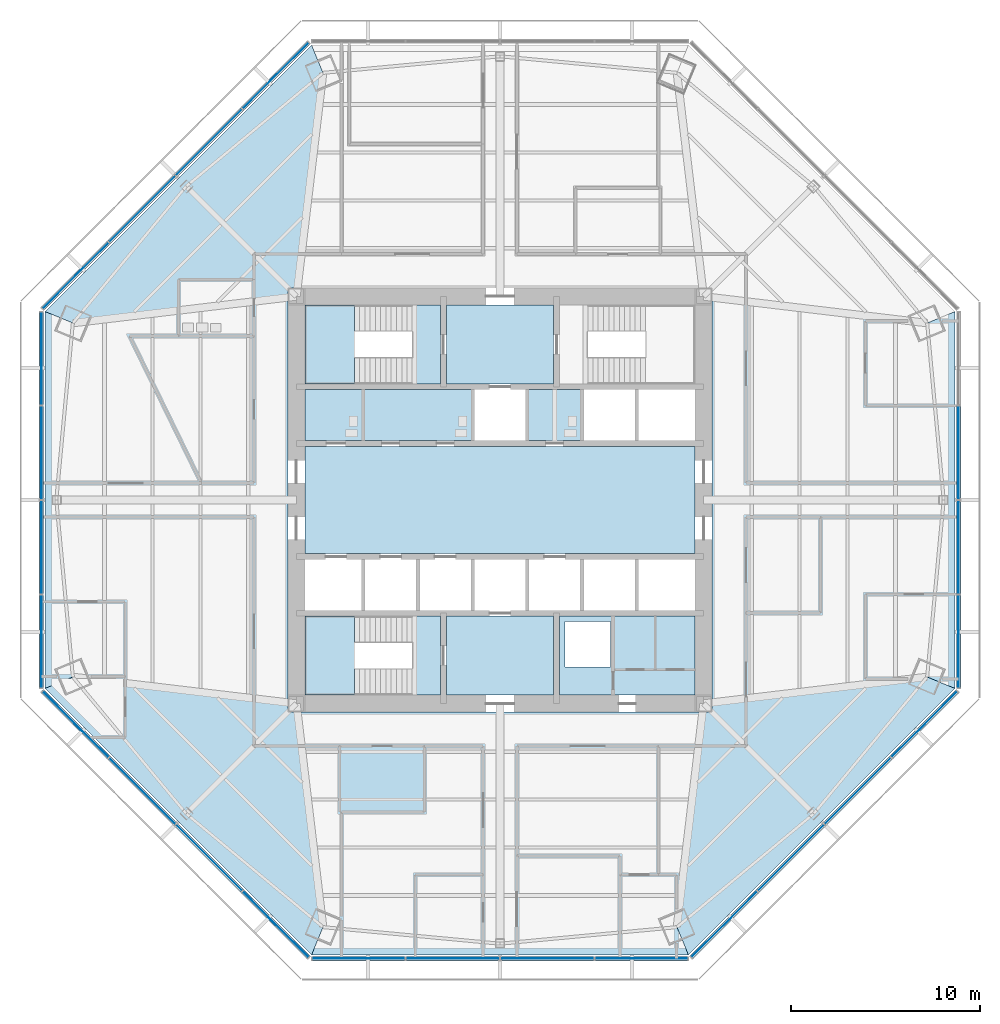
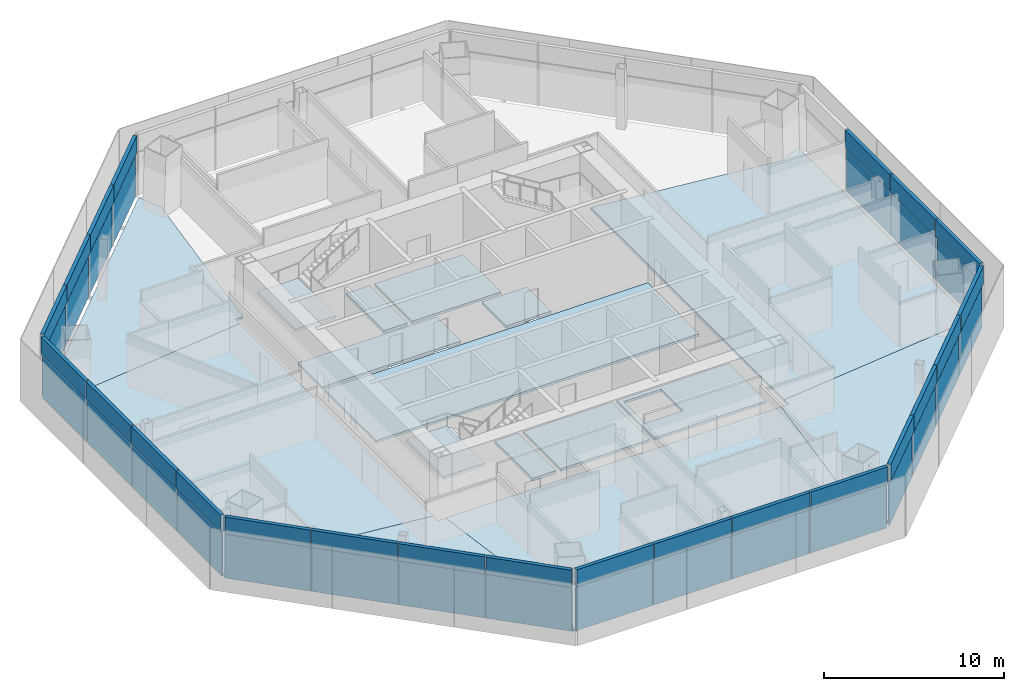
# One storey, part 7 of 14: 46 plates, 16 slabs, 8 elements without a shape of their own.
"""IFC4 building model written with IfcOpenShell, lengths in metres."""

from ifc_helpers import new_model, si_unit, direction, frame, origin, origin_2d, place, context, subcontext, project, spatial, polyline, rectangle, outline, extrude, source, transform, mapped, material, layer, layer_set, type_object, type_shapes, element, aggregate, save


model = new_model("IFC4")

# Units and contexts
model_context = context("Model", 3, precision=1e-05, world=origin(), true_north=direction((0.0, 1.0)))
body_context = subcontext(model_context, "Body", "Model", "MODEL_VIEW")
ifc_project = project(units=[si_unit("LENGTHUNIT", "METRE"), si_unit("AREAUNIT", "SQUARE_METRE"), si_unit("VOLUMEUNIT", "CUBIC_METRE"), si_unit("PLANEANGLEUNIT", "RADIAN"), si_unit("MASSUNIT", "GRAM", prefix="KILO")], contexts=[model_context])

# Site, building, storey
site_placement = place(None, origin())
site = spatial("IfcSite", under=ifc_project, at=site_placement, CompositionType="ELEMENT")
building_placement = place(site_placement, origin())
building = spatial("IfcBuilding", under=site, at=building_placement, Name="Mashrafa Tower", CompositionType="ELEMENT")
storey_placement = place(building_placement, frame((0.0, 0.0, 130.199951171875)))
storey = spatial("IfcBuildingStorey", under=building, at=storey_placement, Name="L29", CompositionType="ELEMENT", Elevation=130.199951171875)

# Slabs
ifc_material_1 = material(Name="Concrete C35/45", Category="concrete")
ifc_layer_1 = layer(ifc_material_1, 0.1650390625)
ifc_layer_set_1 = layer_set([ifc_layer_1], Name="Floor slab 165")
slab_type_1 = type_object("IfcSlabType", Name="Floor slab 165", PredefinedType="FLOOR", material=ifc_layer_set_1)
slab_1_placement = place(storey_placement, frame((0.0, 0.0, -0.1650390625)))
element("IfcSlab", 1, at=slab_1_placement, inside=storey, type_object=slab_type_1, Name="Floor slab L29 east bay", PredefinedType="FLOOR", context=body_context, shape_type="SweptSolid", body=[
    extrude(outline(polyline([(24.131591796875, 9.99560546875), (24.131591796875, -9.99560546875), (24.131591796875, -9.99560546875), (22.657958984375, -9.38525390625), (11.25, -10.746337890625), (11.25, 10.746337890625), (22.657958984375, 9.38525390625), (24.131591796875, 9.99560546875), (24.131591796875, 9.99560546875)])), origin(), (0.0, 0.0, 1.0), 0.1650390625),
])
slab_2_placement = place(storey_placement, frame((0.0, 0.0, -0.1650390625)))
element("IfcSlab", 2, at=slab_2_placement, inside=storey, type_object=slab_type_1, Name="Floor slab L29 north-west bay", PredefinedType="FLOOR", context=body_context, shape_type="SweptSolid", body=[
    extrude(outline(polyline([(-9.99560546875, 24.131591796875), (-9.38525390625, 22.657958984375), (-10.746337890625, 11.25), (-11.25, 11.25), (-11.25, 10.746337890625), (-22.657958984375, 9.38525390625), (-24.131591796875, 9.99560546875), (-9.99560546875, 24.131591796875)])), origin(), (0.0, 0.0, 1.0), 0.1650390625),
])
slab_3_placement = place(storey_placement, frame((0.0, 0.0, -0.1650390625)))
element("IfcSlab", 3, at=slab_3_placement, inside=storey, type_object=slab_type_1, Name="Floor slab L29 west bay", PredefinedType="FLOOR", context=body_context, shape_type="SweptSolid", body=[
    extrude(outline(polyline([(-24.131591796875, -9.99560546875), (-24.131591796875, 9.99560546875), (-24.131591796875, 9.99560546875), (-22.657958984375, 9.38525390625), (-11.25, 10.746337890625), (-11.25, -10.746337890625), (-22.657958984375, -9.38525390625), (-24.131591796875, -9.99560546875), (-24.131591796875, -9.99560546875)])), origin(), (0.0, 0.0, 1.0), 0.1650390625),
])
slab_4_placement = place(storey_placement, frame((0.0, 0.0, -0.1650390625)))
element("IfcSlab", 4, at=slab_4_placement, inside=storey, type_object=slab_type_1, Name="Floor slab L29 south-west bay", PredefinedType="FLOOR", context=body_context, shape_type="SweptSolid", body=[
    extrude(outline(polyline([(-24.131591796875, -9.99560546875), (-22.657958984375, -9.38525390625), (-11.25, -10.746337890625), (-11.25, -11.25), (-10.746337890625, -11.25), (-9.38525390625, -22.657958984375), (-9.99560546875, -24.131591796875), (-24.131591796875, -9.99560546875)])), origin(), (0.0, 0.0, 1.0), 0.1650390625),
])
slab_5_placement = place(storey_placement, frame((0.0, 0.0, -0.1650390625)))
element("IfcSlab", 5, at=slab_5_placement, inside=storey, type_object=slab_type_1, Name="Floor slab L29 south bay", PredefinedType="FLOOR", context=body_context, shape_type="SweptSolid", body=[
    extrude(outline(polyline([(-9.99560546875, -24.131591796875), (-9.99560546875, -24.131591796875), (-9.38525390625, -22.657958984375), (-10.746337890625, -11.25), (10.746337890625, -11.25), (9.38525390625, -22.657958984375), (9.99560546875, -24.131591796875), (9.99560546875, -24.131591796875), (-9.99560546875, -24.131591796875)])), origin(), (0.0, 0.0, 1.0), 0.1650390625),
])
slab_6_placement = place(storey_placement, frame((0.0, 0.0, -0.1650390625)))
element("IfcSlab", 6, at=slab_6_placement, inside=storey, type_object=slab_type_1, Name="Floor slab L29 south-east bay", PredefinedType="FLOOR", context=body_context, shape_type="SweptSolid", body=[
    extrude(outline(polyline([(9.99560546875, -24.131591796875), (9.38525390625, -22.657958984375), (10.746337890625, -11.25), (11.25, -11.25), (11.25, -10.746337890625), (22.657958984375, -9.38525390625), (24.131591796875, -9.99560546875), (9.99560546875, -24.131591796875)])), origin(), (0.0, 0.0, 1.0), 0.1650390625),
])
slab_7_placement = place(storey_placement, frame((0.0, 0.0, -0.1650390625)))
element("IfcSlab", 7, at=slab_7_placement, inside=storey, type_object=slab_type_1, Name="Core floor lift hall L29", PredefinedType="FLOOR", context=body_context, shape_type="SweptSolid", body=[
    extrude(outline(polyline([(-10.35009765625, 2.85009765625), (10.35009765625, 2.85009765625), (10.35009765625, -2.85009765625), (-10.35009765625, -2.85009765625), (-10.35009765625, 2.85009765625)])), origin(), (0.0, 0.0, 1.0), 0.1650390625),
])
slab_8_placement = place(storey_placement, frame((0.0, 0.0, -0.1650390625)))
element("IfcSlab", 8, at=slab_8_placement, inside=storey, type_object=slab_type_1, Name="Core floor riser and electrical band L29", PredefinedType="FLOOR", context=body_context, shape_type="SweptSolid", body=[
    extrude(outline(polyline([(10.35009765625, -6.14990234375), (10.35009765625, -10.35009765625), (3.14990234375, -10.35009765625), (3.14990234375, -6.14990234375), (10.35009765625, -6.14990234375)]), holes=[polyline([(3.449951171875, -8.85009765625), (5.85009765625, -8.85009765625), (5.85009765625, -6.449951171875), (3.449951171875, -6.449951171875), (3.449951171875, -8.85009765625)])]), origin(), (0.0, 0.0, 1.0), 0.1650390625),
])
slab_9_placement = place(storey_placement, frame((0.0, 0.0, -0.1650390625)))
element("IfcSlab", 9, at=slab_9_placement, inside=storey, type_object=slab_type_1, Name="Core floor lift cell L29", PredefinedType="FLOOR", context=body_context, shape_type="SweptSolid", body=[
    extrude(outline(polyline([(-1.449951171875, 3.14990234375), (-10.35009765625, 3.14990234375), (-10.35009765625, 5.85009765625), (-1.449951171875, 5.85009765625), (-1.449951171875, 3.14990234375)])), origin(), (0.0, 0.0, 1.0), 0.1650390625),
])
slab_10_placement = place(storey_placement, frame((0.0, 0.0, -0.1650390625)))
element("IfcSlab", 10, at=slab_10_placement, inside=storey, type_object=slab_type_1, Name="Core floor fire-fighting lobby north L29", PredefinedType="FLOOR", context=body_context, shape_type="SweptSolid", body=[
    extrude(outline(polyline([(-2.85009765625, 10.35009765625), (2.85009765625, 10.35009765625), (2.85009765625, 6.14990234375), (-2.85009765625, 6.14990234375), (-2.85009765625, 10.35009765625)])), origin(), (0.0, 0.0, 1.0), 0.1650390625),
])
slab_11_placement = place(storey_placement, frame((0.0, 0.0, -0.1650390625)))
element("IfcSlab", 11, at=slab_11_placement, inside=storey, type_object=slab_type_1, Name="Core floor fire-fighting lobby south L29", PredefinedType="FLOOR", context=body_context, shape_type="SweptSolid", body=[
    extrude(outline(polyline([(2.85009765625, -6.14990234375), (2.85009765625, -10.35009765625), (-2.85009765625, -10.35009765625), (-2.85009765625, -6.14990234375), (2.85009765625, -6.14990234375)])), origin(), (0.0, 0.0, 1.0), 0.1650390625),
])
slab_12_placement = place(storey_placement, frame((0.0, 0.0, -0.1650390625)))
element("IfcSlab", 12, at=slab_12_placement, inside=storey, type_object=slab_type_1, Name="Core floor lift cell L29", PredefinedType="FLOOR", context=body_context, shape_type="SweptSolid", body=[
    extrude(outline(polyline([(4.35009765625, 5.85009765625), (4.35009765625, 3.14990234375), (1.449951171875, 3.14990234375), (1.449951171875, 5.85009765625), (4.35009765625, 5.85009765625)])), origin(), (0.0, 0.0, 1.0), 0.1650390625),
])

# Stair, slabs
ifc_material_2 = material(Name="Exit stair 1400")
stair_type = type_object("IfcStairType", Name="Exit stair 1400", PredefinedType="HALF_TURN_STAIR", material=ifc_material_2)
stair_1_placement = place(storey_placement, origin())
stair_1 = element("IfcStair", 13, at=stair_1_placement, inside=storey, type_object=stair_type, Name="Stair S1 L29", PredefinedType="HALF_TURN_STAIR")
ifc_material_3 = material(Name="Concrete C32/40", Category="concrete")
ifc_layer_2 = layer(ifc_material_3, 0.199951171875)
ifc_layer_set_2 = layer_set([ifc_layer_2], Name="Stair landing 200")
slab_type_2 = type_object("IfcSlabType", Name="Stair landing 200", PredefinedType="LANDING", material=ifc_layer_set_2)
slab_13_placement = place(storey_placement, frame((0.0, 0.0, -0.199951171875)))
slab_13 = element("IfcSlab", 14, at=slab_13_placement, type_object=slab_type_2, Name="S1 landing 1", PredefinedType="LANDING", context=body_context, shape_type="SweptSolid", body=[
    extrude(outline(polyline([(-4.659912109375, 6.14990234375), (-3.14990234375, 6.14990234375), (-3.14990234375, 10.35009765625), (-4.659912109375, 10.35009765625), (-4.659912109375, 6.14990234375)])), origin(), (0.0, 0.0, 1.0), 0.199951171875),
])
slab_14_placement = place(storey_placement, frame((0.0, 0.0, 1.900146484375)))
slab_14 = element("IfcSlab", 15, at=slab_14_placement, type_object=slab_type_2, Name="S1 landing 2", PredefinedType="LANDING", context=body_context, shape_type="SweptSolid", body=[
    extrude(outline(polyline([(-10.35009765625, 6.14990234375), (-7.719970703125, 6.14990234375), (-7.719970703125, 10.35009765625), (-10.35009765625, 10.35009765625), (-10.35009765625, 6.14990234375)])), origin(), (0.0, 0.0, 1.0), 0.199951171875),
])
aggregate(stair_1, [slab_13, slab_14])

stair_2_placement = place(storey_placement, origin())
stair_2 = element("IfcStair", 16, at=stair_2_placement, inside=storey, type_object=stair_type, Name="Stair S3 L29", PredefinedType="HALF_TURN_STAIR")
slab_15_placement = place(storey_placement, frame((0.0, 0.0, -0.199951171875)))
slab_15 = element("IfcSlab", 17, at=slab_15_placement, type_object=slab_type_2, Name="S3 landing 1", PredefinedType="LANDING", context=body_context, shape_type="SweptSolid", body=[
    extrude(outline(polyline([(-4.659912109375, -10.35009765625), (-3.14990234375, -10.35009765625), (-3.14990234375, -6.14990234375), (-4.659912109375, -6.14990234375), (-4.659912109375, -10.35009765625)])), origin(), (0.0, 0.0, 1.0), 0.199951171875),
])
slab_16_placement = place(storey_placement, frame((0.0, 0.0, 1.900146484375)))
slab_16 = element("IfcSlab", 18, at=slab_16_placement, type_object=slab_type_2, Name="S3 landing 2", PredefinedType="LANDING", context=body_context, shape_type="SweptSolid", body=[
    extrude(outline(polyline([(-10.35009765625, -10.35009765625), (-7.719970703125, -10.35009765625), (-7.719970703125, -6.14990234375), (-10.35009765625, -6.14990234375), (-10.35009765625, -10.35009765625)])), origin(), (0.0, 0.0, 1.0), 0.199951171875),
])
aggregate(stair_2, [slab_15, slab_16])

# Curtain wall, plate
ifc_material_4 = material(Name="Unitised aluminium curtain wall", Category="aluminium")
curtain_wall_type = type_object("IfcCurtainWallType", Name="Office curtain wall, zone 2 CW-B 225 deep", PredefinedType="NOTDEFINED", material=ifc_material_4)
curtain_wall_1_placement = place(storey_placement, origin())
curtain_wall_1 = element("IfcCurtainWall", 19, at=curtain_wall_1_placement, inside=storey, type_object=curtain_wall_type, Name="Office curtain wall, zone 2 L29 east", PredefinedType="NOTDEFINED")
ifc_material_5 = material(Name="Insulated double glazing, low-e, neutral", Category="glass")
ifc_layer_3 = layer(ifc_material_5, 0.028076171875)
ifc_layer_set_3 = layer_set([ifc_layer_3], Name="Vision panel CW-B 28")
plate_type_1 = type_object("IfcPlateType", Name="Vision panel CW-B 28", PredefinedType="CURTAIN_PANEL", material=ifc_layer_set_3)
shared_shape_1 = source(origin(), body_context, "Body", "SweptSolid", [
    extrude(rectangle(XDim=4.913330078125, YDim=0.028076171875, at=origin_2d()), origin(), (0.0, 0.0, 1.0), 2.9599609375),
])
plate_1_placement = place(storey_placement, frame((24.33154296875, -7.500244140625, 0.0), z_axis=(0.0, 0.0, 1.0), x_axis=(0.0, 1.0, 0.0)))
plate_1 = element("IfcPlate", 20, at=plate_1_placement, type_object=plate_type_1, Name="CW-B vision panel 1", PredefinedType="CURTAIN_PANEL", context=body_context, shape_type="MappedRepresentation", body=[
    mapped(shared_shape_1, transform((0.0, 0.0, 0.0))),
])

# Curtain wall, plates
curtain_wall_2_placement = place(storey_placement, origin())
curtain_wall_2 = element("IfcCurtainWall", 21, at=curtain_wall_2_placement, inside=storey, type_object=curtain_wall_type, Name="Office curtain wall, zone 2 L29 north-west", PredefinedType="NOTDEFINED")
plate_2_placement = place(storey_placement, frame((-11.901611328125, 22.50830078125, 0.0), z_axis=(0.0, 0.0, 1.0), x_axis=(-0.707106781187, -0.707106781187, 0.0)))
plate_2 = element("IfcPlate", 22, at=plate_2_placement, type_object=plate_type_1, Name="CW-B vision panel 1", PredefinedType="CURTAIN_PANEL", context=body_context, shape_type="MappedRepresentation", body=[
    mapped(shared_shape_1, transform((0.0, 0.0, 0.0))),
])
plate_3_placement = place(storey_placement, frame((-22.50830078125, 11.901611328125, 0.0), z_axis=(0.0, 0.0, 1.0), x_axis=(-0.707106781187, -0.707106781187, 0.0)))
plate_3 = element("IfcPlate", 23, at=plate_3_placement, type_object=plate_type_1, Name="CW-B vision panel 4", PredefinedType="CURTAIN_PANEL", context=body_context, shape_type="MappedRepresentation", body=[
    mapped(shared_shape_1, transform((0.0, 0.0, 0.0))),
])

curtain_wall_3_placement = place(storey_placement, origin())
curtain_wall_3 = element("IfcCurtainWall", 24, at=curtain_wall_3_placement, inside=storey, type_object=curtain_wall_type, Name="Office curtain wall, zone 2 L29 west", PredefinedType="NOTDEFINED")
plate_4_placement = place(storey_placement, frame((-24.33154296875, 7.500244140625, 0.0), z_axis=(0.0, 0.0, 1.0), x_axis=(0.0, -1.0, 0.0)))
plate_4 = element("IfcPlate", 25, at=plate_4_placement, type_object=plate_type_1, Name="CW-B vision panel 1", PredefinedType="CURTAIN_PANEL", context=body_context, shape_type="MappedRepresentation", body=[
    mapped(shared_shape_1, transform((0.0, 0.0, 0.0))),
])
plate_5_placement = place(storey_placement, frame((-24.33154296875, -7.500244140625, 0.0), z_axis=(0.0, 0.0, 1.0), x_axis=(0.0, -1.0, 0.0)))
plate_5 = element("IfcPlate", 26, at=plate_5_placement, type_object=plate_type_1, Name="CW-B vision panel 4", PredefinedType="CURTAIN_PANEL", context=body_context, shape_type="MappedRepresentation", body=[
    mapped(shared_shape_1, transform((0.0, 0.0, 0.0))),
])

curtain_wall_4_placement = place(storey_placement, origin())
curtain_wall_4 = element("IfcCurtainWall", 27, at=curtain_wall_4_placement, inside=storey, type_object=curtain_wall_type, Name="Office curtain wall, zone 2 L29 south-west", PredefinedType="NOTDEFINED")
plate_6_placement = place(storey_placement, frame((-22.50830078125, -11.901611328125, 0.0), z_axis=(0.0, 0.0, 1.0), x_axis=(0.707106781187, -0.707106781187, 0.0)))
plate_6 = element("IfcPlate", 28, at=plate_6_placement, type_object=plate_type_1, Name="CW-B vision panel 1", PredefinedType="CURTAIN_PANEL", context=body_context, shape_type="MappedRepresentation", body=[
    mapped(shared_shape_1, transform((0.0, 0.0, 0.0))),
])
plate_7_placement = place(storey_placement, frame((-11.901611328125, -22.50830078125, 0.0), z_axis=(0.0, 0.0, 1.0), x_axis=(0.707106781187, -0.707106781187, 0.0)))
plate_7 = element("IfcPlate", 29, at=plate_7_placement, type_object=plate_type_1, Name="CW-B vision panel 4", PredefinedType="CURTAIN_PANEL", context=body_context, shape_type="MappedRepresentation", body=[
    mapped(shared_shape_1, transform((0.0, 0.0, 0.0))),
])

curtain_wall_5_placement = place(storey_placement, origin())
curtain_wall_5 = element("IfcCurtainWall", 30, at=curtain_wall_5_placement, inside=storey, type_object=curtain_wall_type, Name="Office curtain wall, zone 2 L29 south", PredefinedType="NOTDEFINED")
plate_8_placement = place(storey_placement, frame((-7.500244140625, -24.33154296875, 0.0), z_axis=(0.0, 0.0, 1.0), x_axis=(1.0, 0.0, 0.0)))
plate_8 = element("IfcPlate", 31, at=plate_8_placement, type_object=plate_type_1, Name="CW-B vision panel 1", PredefinedType="CURTAIN_PANEL", context=body_context, shape_type="MappedRepresentation", body=[
    mapped(shared_shape_1, transform((0.0, 0.0, 0.0))),
])
plate_9_placement = place(storey_placement, frame((7.500244140625, -24.33154296875, 0.0), z_axis=(0.0, 0.0, 1.0), x_axis=(1.0, 0.0, 0.0)))
plate_9 = element("IfcPlate", 32, at=plate_9_placement, type_object=plate_type_1, Name="CW-B vision panel 4", PredefinedType="CURTAIN_PANEL", context=body_context, shape_type="MappedRepresentation", body=[
    mapped(shared_shape_1, transform((0.0, 0.0, 0.0))),
])

curtain_wall_6_placement = place(storey_placement, origin())
curtain_wall_6 = element("IfcCurtainWall", 33, at=curtain_wall_6_placement, inside=storey, type_object=curtain_wall_type, Name="Office curtain wall, zone 2 L29 south-east", PredefinedType="NOTDEFINED")
plate_10_placement = place(storey_placement, frame((11.901611328125, -22.50830078125, 0.0), z_axis=(0.0, 0.0, 1.0), x_axis=(0.707106781187, 0.707106781187, 0.0)))
plate_10 = element("IfcPlate", 34, at=plate_10_placement, type_object=plate_type_1, Name="CW-B vision panel 1", PredefinedType="CURTAIN_PANEL", context=body_context, shape_type="MappedRepresentation", body=[
    mapped(shared_shape_1, transform((0.0, 0.0, 0.0))),
])
plate_11_placement = place(storey_placement, frame((22.50830078125, -11.901611328125, 0.0), z_axis=(0.0, 0.0, 1.0), x_axis=(0.707106781187, 0.707106781187, 0.0)))
plate_11 = element("IfcPlate", 35, at=plate_11_placement, type_object=plate_type_1, Name="CW-B vision panel 4", PredefinedType="CURTAIN_PANEL", context=body_context, shape_type="MappedRepresentation", body=[
    mapped(shared_shape_1, transform((0.0, 0.0, 0.0))),
])

# Plate
ifc_material_6 = material(Name="Insulated aluminium spandrel panel", Category="aluminium")
ifc_layer_4 = layer(ifc_material_6, 0.219970703125)
ifc_layer_set_4 = layer_set([ifc_layer_4], Name="Spandrel panel CW-B 220")
plate_type_2 = type_object("IfcPlateType", Name="Spandrel panel CW-B 220", PredefinedType="CURTAIN_PANEL", material=ifc_layer_set_4)
shared_shape_2 = source(origin(), body_context, "Body", "SweptSolid", [
    extrude(rectangle(XDim=4.913330078125, YDim=0.219970703125, at=origin_2d()), origin(), (0.0, 0.0, 1.0), 1.159912109375),
])
plate_12_placement = place(storey_placement, frame((24.33154296875, -7.500244140625, 3.0400390625), z_axis=(0.0, 0.0, 1.0), x_axis=(0.0, 1.0, 0.0)))
plate_12 = element("IfcPlate", 36, at=plate_12_placement, type_object=plate_type_2, Name="CW-B spandrel panel 1", PredefinedType="CURTAIN_PANEL", context=body_context, shape_type="MappedRepresentation", body=[
    mapped(shared_shape_2, transform((0.0, 0.0, 0.0))),
])

plate_13_placement = place(storey_placement, frame((-11.901611328125, 22.50830078125, 3.0400390625), z_axis=(0.0, 0.0, 1.0), x_axis=(-0.707106781187, -0.707106781187, 0.0)))
plate_13 = element("IfcPlate", 37, at=plate_13_placement, type_object=plate_type_2, Name="CW-B spandrel panel 1", PredefinedType="CURTAIN_PANEL", context=body_context, shape_type="MappedRepresentation", body=[
    mapped(shared_shape_2, transform((0.0, 0.0, 0.0))),
])

plate_14_placement = place(storey_placement, frame((-22.50830078125, 11.901611328125, 3.0400390625), z_axis=(0.0, 0.0, 1.0), x_axis=(-0.707106781187, -0.707106781187, 0.0)))
plate_14 = element("IfcPlate", 38, at=plate_14_placement, type_object=plate_type_2, Name="CW-B spandrel panel 4", PredefinedType="CURTAIN_PANEL", context=body_context, shape_type="MappedRepresentation", body=[
    mapped(shared_shape_2, transform((0.0, 0.0, 0.0))),
])

plate_15_placement = place(storey_placement, frame((-24.33154296875, 7.500244140625, 3.0400390625), z_axis=(0.0, 0.0, 1.0), x_axis=(0.0, -1.0, 0.0)))
plate_15 = element("IfcPlate", 39, at=plate_15_placement, type_object=plate_type_2, Name="CW-B spandrel panel 1", PredefinedType="CURTAIN_PANEL", context=body_context, shape_type="MappedRepresentation", body=[
    mapped(shared_shape_2, transform((0.0, 0.0, 0.0))),
])

plate_16_placement = place(storey_placement, frame((-24.33154296875, -7.500244140625, 3.0400390625), z_axis=(0.0, 0.0, 1.0), x_axis=(0.0, -1.0, 0.0)))
plate_16 = element("IfcPlate", 40, at=plate_16_placement, type_object=plate_type_2, Name="CW-B spandrel panel 4", PredefinedType="CURTAIN_PANEL", context=body_context, shape_type="MappedRepresentation", body=[
    mapped(shared_shape_2, transform((0.0, 0.0, 0.0))),
])

plate_17_placement = place(storey_placement, frame((-22.50830078125, -11.901611328125, 3.0400390625), z_axis=(0.0, 0.0, 1.0), x_axis=(0.707106781187, -0.707106781187, 0.0)))
plate_17 = element("IfcPlate", 41, at=plate_17_placement, type_object=plate_type_2, Name="CW-B spandrel panel 1", PredefinedType="CURTAIN_PANEL", context=body_context, shape_type="MappedRepresentation", body=[
    mapped(shared_shape_2, transform((0.0, 0.0, 0.0))),
])

plate_18_placement = place(storey_placement, frame((-11.901611328125, -22.50830078125, 3.0400390625), z_axis=(0.0, 0.0, 1.0), x_axis=(0.707106781187, -0.707106781187, 0.0)))
plate_18 = element("IfcPlate", 42, at=plate_18_placement, type_object=plate_type_2, Name="CW-B spandrel panel 4", PredefinedType="CURTAIN_PANEL", context=body_context, shape_type="MappedRepresentation", body=[
    mapped(shared_shape_2, transform((0.0, 0.0, 0.0))),
])

plate_19_placement = place(storey_placement, frame((-7.500244140625, -24.33154296875, 3.0400390625), z_axis=(0.0, 0.0, 1.0), x_axis=(1.0, 0.0, 0.0)))
plate_19 = element("IfcPlate", 43, at=plate_19_placement, type_object=plate_type_2, Name="CW-B spandrel panel 1", PredefinedType="CURTAIN_PANEL", context=body_context, shape_type="MappedRepresentation", body=[
    mapped(shared_shape_2, transform((0.0, 0.0, 0.0))),
])

plate_20_placement = place(storey_placement, frame((7.500244140625, -24.33154296875, 3.0400390625), z_axis=(0.0, 0.0, 1.0), x_axis=(1.0, 0.0, 0.0)))
plate_20 = element("IfcPlate", 44, at=plate_20_placement, type_object=plate_type_2, Name="CW-B spandrel panel 4", PredefinedType="CURTAIN_PANEL", context=body_context, shape_type="MappedRepresentation", body=[
    mapped(shared_shape_2, transform((0.0, 0.0, 0.0))),
])

plate_21_placement = place(storey_placement, frame((11.901611328125, -22.50830078125, 3.0400390625), z_axis=(0.0, 0.0, 1.0), x_axis=(0.707106781187, 0.707106781187, 0.0)))
plate_21 = element("IfcPlate", 45, at=plate_21_placement, type_object=plate_type_2, Name="CW-B spandrel panel 1", PredefinedType="CURTAIN_PANEL", context=body_context, shape_type="MappedRepresentation", body=[
    mapped(shared_shape_2, transform((0.0, 0.0, 0.0))),
])

plate_22_placement = place(storey_placement, frame((22.50830078125, -11.901611328125, 3.0400390625), z_axis=(0.0, 0.0, 1.0), x_axis=(0.707106781187, 0.707106781187, 0.0)))
plate_22 = element("IfcPlate", 46, at=plate_22_placement, type_object=plate_type_2, Name="CW-B spandrel panel 4", PredefinedType="CURTAIN_PANEL", context=body_context, shape_type="MappedRepresentation", body=[
    mapped(shared_shape_2, transform((0.0, 0.0, 0.0))),
])

shared_shape_3 = source(origin(), body_context, "Body", "SweptSolid", [
    extrude(rectangle(XDim=4.946044921875, YDim=0.028076171875, at=origin_2d()), origin(), (0.0, 0.0, 1.0), 2.9599609375),
])
type_shapes(plate_type_1, [shared_shape_1, shared_shape_3])
plate_23_placement = place(storey_placement, frame((24.33154296875, -2.50537109375, 0.0), z_axis=(0.0, 0.0, 1.0), x_axis=(0.0, 1.0, 0.0)))
plate_23 = element("IfcPlate", 47, at=plate_23_placement, type_object=plate_type_1, Name="CW-B vision panel 2", PredefinedType="CURTAIN_PANEL", context=body_context, shape_type="MappedRepresentation", body=[
    mapped(shared_shape_3, transform((0.0, 0.0, 0.0))),
])

plate_24_placement = place(storey_placement, frame((24.33154296875, 2.50537109375, 0.0), z_axis=(0.0, 0.0, 1.0), x_axis=(0.0, 1.0, 0.0)))
plate_24 = element("IfcPlate", 48, at=plate_24_placement, type_object=plate_type_1, Name="CW-B vision panel 3", PredefinedType="CURTAIN_PANEL", context=body_context, shape_type="MappedRepresentation", body=[
    mapped(shared_shape_3, transform((0.0, 0.0, 0.0))),
])

plate_25_placement = place(storey_placement, frame((-15.433349609375, 18.9765625, 0.0), z_axis=(0.0, 0.0, 1.0), x_axis=(-0.707106781187, -0.707106781187, 0.0)))
plate_25 = element("IfcPlate", 49, at=plate_25_placement, type_object=plate_type_1, Name="CW-B vision panel 2", PredefinedType="CURTAIN_PANEL", context=body_context, shape_type="MappedRepresentation", body=[
    mapped(shared_shape_3, transform((0.0, 0.0, 0.0))),
])

plate_26_placement = place(storey_placement, frame((-18.9765625, 15.433349609375, 0.0), z_axis=(0.0, 0.0, 1.0), x_axis=(-0.707106781187, -0.707106781187, 0.0)))
plate_26 = element("IfcPlate", 50, at=plate_26_placement, type_object=plate_type_1, Name="CW-B vision panel 3", PredefinedType="CURTAIN_PANEL", context=body_context, shape_type="MappedRepresentation", body=[
    mapped(shared_shape_3, transform((0.0, 0.0, 0.0))),
])

plate_27_placement = place(storey_placement, frame((-24.33154296875, 2.50537109375, 0.0), z_axis=(0.0, 0.0, 1.0), x_axis=(0.0, -1.0, 0.0)))
plate_27 = element("IfcPlate", 51, at=plate_27_placement, type_object=plate_type_1, Name="CW-B vision panel 2", PredefinedType="CURTAIN_PANEL", context=body_context, shape_type="MappedRepresentation", body=[
    mapped(shared_shape_3, transform((0.0, 0.0, 0.0))),
])

plate_28_placement = place(storey_placement, frame((-24.33154296875, -2.50537109375, 0.0), z_axis=(0.0, 0.0, 1.0), x_axis=(0.0, -1.0, 0.0)))
plate_28 = element("IfcPlate", 52, at=plate_28_placement, type_object=plate_type_1, Name="CW-B vision panel 3", PredefinedType="CURTAIN_PANEL", context=body_context, shape_type="MappedRepresentation", body=[
    mapped(shared_shape_3, transform((0.0, 0.0, 0.0))),
])

plate_29_placement = place(storey_placement, frame((-18.9765625, -15.433349609375, 0.0), z_axis=(0.0, 0.0, 1.0), x_axis=(0.707106781187, -0.707106781187, 0.0)))
plate_29 = element("IfcPlate", 53, at=plate_29_placement, type_object=plate_type_1, Name="CW-B vision panel 2", PredefinedType="CURTAIN_PANEL", context=body_context, shape_type="MappedRepresentation", body=[
    mapped(shared_shape_3, transform((0.0, 0.0, 0.0))),
])

plate_30_placement = place(storey_placement, frame((-15.433349609375, -18.9765625, 0.0), z_axis=(0.0, 0.0, 1.0), x_axis=(0.707106781187, -0.707106781187, 0.0)))
plate_30 = element("IfcPlate", 54, at=plate_30_placement, type_object=plate_type_1, Name="CW-B vision panel 3", PredefinedType="CURTAIN_PANEL", context=body_context, shape_type="MappedRepresentation", body=[
    mapped(shared_shape_3, transform((0.0, 0.0, 0.0))),
])

plate_31_placement = place(storey_placement, frame((-2.50537109375, -24.33154296875, 0.0), z_axis=(0.0, 0.0, 1.0), x_axis=(1.0, 0.0, 0.0)))
plate_31 = element("IfcPlate", 55, at=plate_31_placement, type_object=plate_type_1, Name="CW-B vision panel 2", PredefinedType="CURTAIN_PANEL", context=body_context, shape_type="MappedRepresentation", body=[
    mapped(shared_shape_3, transform((0.0, 0.0, 0.0))),
])

plate_32_placement = place(storey_placement, frame((2.50537109375, -24.33154296875, 0.0), z_axis=(0.0, 0.0, 1.0), x_axis=(1.0, 0.0, 0.0)))
plate_32 = element("IfcPlate", 56, at=plate_32_placement, type_object=plate_type_1, Name="CW-B vision panel 3", PredefinedType="CURTAIN_PANEL", context=body_context, shape_type="MappedRepresentation", body=[
    mapped(shared_shape_3, transform((0.0, 0.0, 0.0))),
])

plate_33_placement = place(storey_placement, frame((15.433349609375, -18.9765625, 0.0), z_axis=(0.0, 0.0, 1.0), x_axis=(0.707106781187, 0.707106781187, 0.0)))
plate_33 = element("IfcPlate", 57, at=plate_33_placement, type_object=plate_type_1, Name="CW-B vision panel 2", PredefinedType="CURTAIN_PANEL", context=body_context, shape_type="MappedRepresentation", body=[
    mapped(shared_shape_3, transform((0.0, 0.0, 0.0))),
])

plate_34_placement = place(storey_placement, frame((18.9765625, -15.433349609375, 0.0), z_axis=(0.0, 0.0, 1.0), x_axis=(0.707106781187, 0.707106781187, 0.0)))
plate_34 = element("IfcPlate", 58, at=plate_34_placement, type_object=plate_type_1, Name="CW-B vision panel 3", PredefinedType="CURTAIN_PANEL", context=body_context, shape_type="MappedRepresentation", body=[
    mapped(shared_shape_3, transform((0.0, 0.0, 0.0))),
])

shared_shape_4 = source(origin(), body_context, "Body", "SweptSolid", [
    extrude(rectangle(XDim=4.946044921875, YDim=0.219970703125, at=origin_2d()), origin(), (0.0, 0.0, 1.0), 1.159912109375),
])
type_shapes(plate_type_2, [shared_shape_2, shared_shape_4])
plate_35_placement = place(storey_placement, frame((24.33154296875, -2.50537109375, 3.0400390625), z_axis=(0.0, 0.0, 1.0), x_axis=(0.0, 1.0, 0.0)))
plate_35 = element("IfcPlate", 59, at=plate_35_placement, type_object=plate_type_2, Name="CW-B spandrel panel 2", PredefinedType="CURTAIN_PANEL", context=body_context, shape_type="MappedRepresentation", body=[
    mapped(shared_shape_4, transform((0.0, 0.0, 0.0))),
])

plate_36_placement = place(storey_placement, frame((24.33154296875, 2.50537109375, 3.0400390625), z_axis=(0.0, 0.0, 1.0), x_axis=(0.0, 1.0, 0.0)))
plate_36 = element("IfcPlate", 60, at=plate_36_placement, type_object=plate_type_2, Name="CW-B spandrel panel 3", PredefinedType="CURTAIN_PANEL", context=body_context, shape_type="MappedRepresentation", body=[
    mapped(shared_shape_4, transform((0.0, 0.0, 0.0))),
])

aggregate(curtain_wall_1, [plate_1, plate_12, plate_23, plate_35, plate_24, plate_36])

plate_37_placement = place(storey_placement, frame((-15.433349609375, 18.9765625, 3.0400390625), z_axis=(0.0, 0.0, 1.0), x_axis=(-0.707106781187, -0.707106781187, 0.0)))
plate_37 = element("IfcPlate", 61, at=plate_37_placement, type_object=plate_type_2, Name="CW-B spandrel panel 2", PredefinedType="CURTAIN_PANEL", context=body_context, shape_type="MappedRepresentation", body=[
    mapped(shared_shape_4, transform((0.0, 0.0, 0.0))),
])

plate_38_placement = place(storey_placement, frame((-18.9765625, 15.433349609375, 3.0400390625), z_axis=(0.0, 0.0, 1.0), x_axis=(-0.707106781187, -0.707106781187, 0.0)))
plate_38 = element("IfcPlate", 62, at=plate_38_placement, type_object=plate_type_2, Name="CW-B spandrel panel 3", PredefinedType="CURTAIN_PANEL", context=body_context, shape_type="MappedRepresentation", body=[
    mapped(shared_shape_4, transform((0.0, 0.0, 0.0))),
])

aggregate(curtain_wall_2, [plate_2, plate_13, plate_25, plate_37, plate_26, plate_38, plate_3, plate_14])

plate_39_placement = place(storey_placement, frame((-24.33154296875, 2.50537109375, 3.0400390625), z_axis=(0.0, 0.0, 1.0), x_axis=(0.0, -1.0, 0.0)))
plate_39 = element("IfcPlate", 63, at=plate_39_placement, type_object=plate_type_2, Name="CW-B spandrel panel 2", PredefinedType="CURTAIN_PANEL", context=body_context, shape_type="MappedRepresentation", body=[
    mapped(shared_shape_4, transform((0.0, 0.0, 0.0))),
])

plate_40_placement = place(storey_placement, frame((-24.33154296875, -2.50537109375, 3.0400390625), z_axis=(0.0, 0.0, 1.0), x_axis=(0.0, -1.0, 0.0)))
plate_40 = element("IfcPlate", 64, at=plate_40_placement, type_object=plate_type_2, Name="CW-B spandrel panel 3", PredefinedType="CURTAIN_PANEL", context=body_context, shape_type="MappedRepresentation", body=[
    mapped(shared_shape_4, transform((0.0, 0.0, 0.0))),
])

aggregate(curtain_wall_3, [plate_4, plate_15, plate_27, plate_39, plate_28, plate_40, plate_5, plate_16])

plate_41_placement = place(storey_placement, frame((-18.9765625, -15.433349609375, 3.0400390625), z_axis=(0.0, 0.0, 1.0), x_axis=(0.707106781187, -0.707106781187, 0.0)))
plate_41 = element("IfcPlate", 65, at=plate_41_placement, type_object=plate_type_2, Name="CW-B spandrel panel 2", PredefinedType="CURTAIN_PANEL", context=body_context, shape_type="MappedRepresentation", body=[
    mapped(shared_shape_4, transform((0.0, 0.0, 0.0))),
])

plate_42_placement = place(storey_placement, frame((-15.433349609375, -18.9765625, 3.0400390625), z_axis=(0.0, 0.0, 1.0), x_axis=(0.707106781187, -0.707106781187, 0.0)))
plate_42 = element("IfcPlate", 66, at=plate_42_placement, type_object=plate_type_2, Name="CW-B spandrel panel 3", PredefinedType="CURTAIN_PANEL", context=body_context, shape_type="MappedRepresentation", body=[
    mapped(shared_shape_4, transform((0.0, 0.0, 0.0))),
])

aggregate(curtain_wall_4, [plate_6, plate_17, plate_29, plate_41, plate_30, plate_42, plate_7, plate_18])

plate_43_placement = place(storey_placement, frame((-2.50537109375, -24.33154296875, 3.0400390625), z_axis=(0.0, 0.0, 1.0), x_axis=(1.0, 0.0, 0.0)))
plate_43 = element("IfcPlate", 67, at=plate_43_placement, type_object=plate_type_2, Name="CW-B spandrel panel 2", PredefinedType="CURTAIN_PANEL", context=body_context, shape_type="MappedRepresentation", body=[
    mapped(shared_shape_4, transform((0.0, 0.0, 0.0))),
])

plate_44_placement = place(storey_placement, frame((2.50537109375, -24.33154296875, 3.0400390625), z_axis=(0.0, 0.0, 1.0), x_axis=(1.0, 0.0, 0.0)))
plate_44 = element("IfcPlate", 68, at=plate_44_placement, type_object=plate_type_2, Name="CW-B spandrel panel 3", PredefinedType="CURTAIN_PANEL", context=body_context, shape_type="MappedRepresentation", body=[
    mapped(shared_shape_4, transform((0.0, 0.0, 0.0))),
])

aggregate(curtain_wall_5, [plate_8, plate_19, plate_31, plate_43, plate_32, plate_44, plate_9, plate_20])

plate_45_placement = place(storey_placement, frame((15.433349609375, -18.9765625, 3.0400390625), z_axis=(0.0, 0.0, 1.0), x_axis=(0.707106781187, 0.707106781187, 0.0)))
plate_45 = element("IfcPlate", 69, at=plate_45_placement, type_object=plate_type_2, Name="CW-B spandrel panel 2", PredefinedType="CURTAIN_PANEL", context=body_context, shape_type="MappedRepresentation", body=[
    mapped(shared_shape_4, transform((0.0, 0.0, 0.0))),
])

plate_46_placement = place(storey_placement, frame((18.9765625, -15.433349609375, 3.0400390625), z_axis=(0.0, 0.0, 1.0), x_axis=(0.707106781187, 0.707106781187, 0.0)))
plate_46 = element("IfcPlate", 70, at=plate_46_placement, type_object=plate_type_2, Name="CW-B spandrel panel 3", PredefinedType="CURTAIN_PANEL", context=body_context, shape_type="MappedRepresentation", body=[
    mapped(shared_shape_4, transform((0.0, 0.0, 0.0))),
])

aggregate(curtain_wall_6, [plate_10, plate_21, plate_33, plate_45, plate_34, plate_46, plate_11, plate_22])

save(model, "model.ifc")
